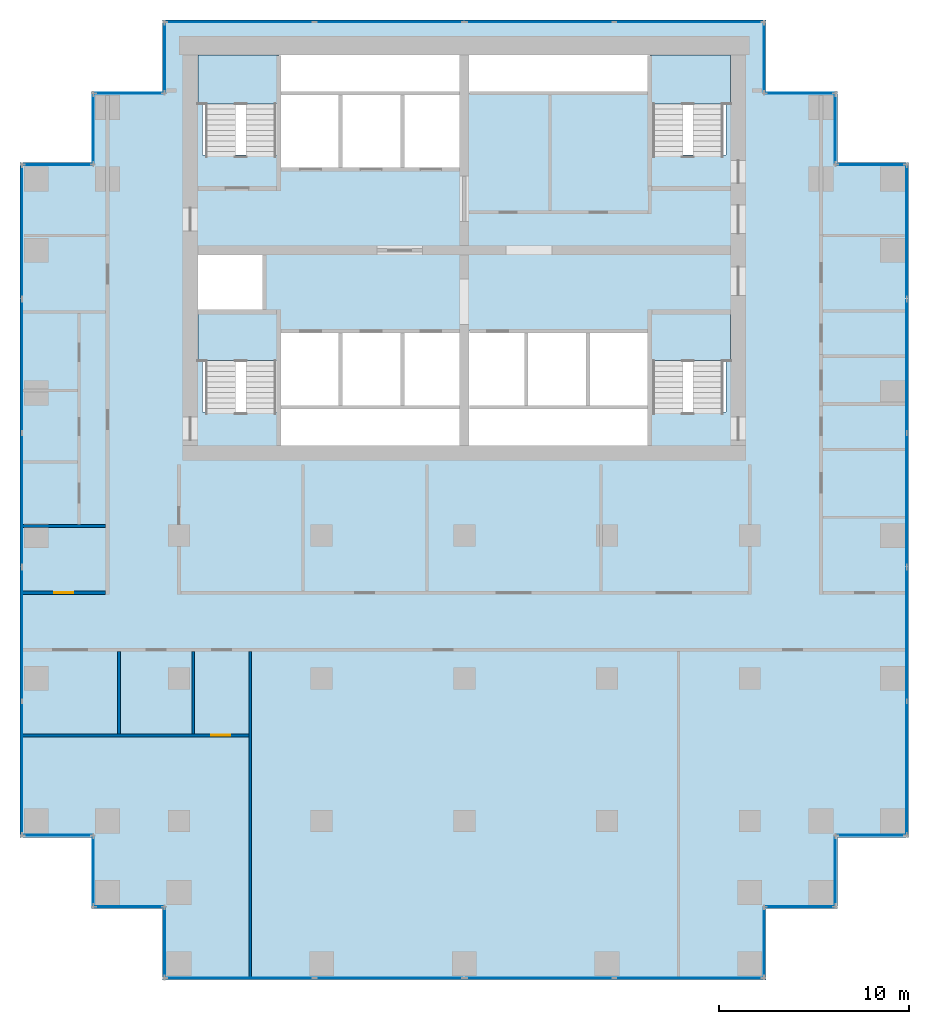
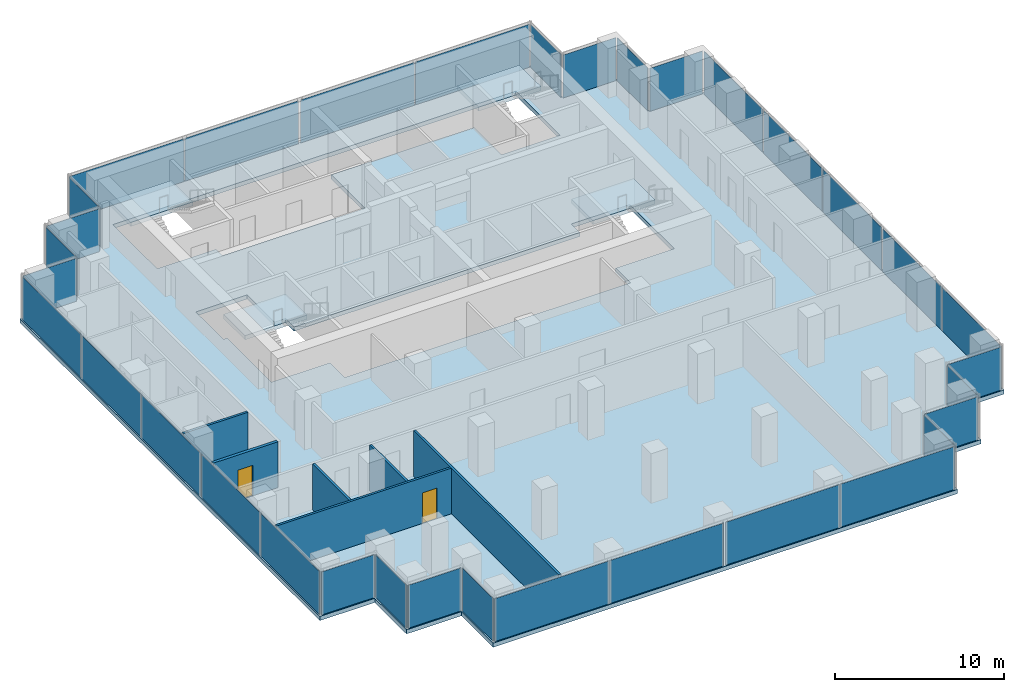
# One storey, part 6 of 10: 34 plates, 6 walls, 5 slabs, 2 doors, 2 openings, 30 elements without a shape of their own.
"""IFC4 building model written with IfcOpenShell, lengths in metres."""

from ifc_helpers import new_model, si_unit, direction, frame, frame_2d, origin, origin_2d, place, context, subcontext, project, spatial, polyline, rectangle, outline, extrude, material, layer, layer_set, type_object, element, fill, aggregate, save


model = new_model("IFC4")

# Units and contexts
model_context = context("Model", 3, precision=1e-05, world=origin(), true_north=direction((0.0, 1.0)))
body_context = subcontext(model_context, "Body", "Model", "MODEL_VIEW")
ifc_project = project(units=[si_unit("LENGTHUNIT", "METRE"), si_unit("AREAUNIT", "SQUARE_METRE"), si_unit("VOLUMEUNIT", "CUBIC_METRE"), si_unit("PLANEANGLEUNIT", "RADIAN"), si_unit("MASSUNIT", "GRAM", prefix="KILO")], contexts=[model_context])

# Site, building, storey
site_placement = place(None, origin())
site = spatial("IfcSite", under=ifc_project, at=site_placement, CompositionType="ELEMENT")
building_placement = place(site_placement, origin())
building = spatial("IfcBuilding", under=site, at=building_placement, Name="Pilkhan Gate Tower", CompositionType="ELEMENT")
storey_placement = place(building_placement, frame((0.0, 0.0, 136.0)))
storey = spatial("IfcBuildingStorey", under=building, at=storey_placement, Name="L34", CompositionType="ELEMENT", Elevation=136.0)

# Slab
ifc_material_1 = material(Name="Concrete C40/50", Category="concrete")
ifc_layer_1 = layer(ifc_material_1, 0.300048828125)
ifc_layer_set_1 = layer_set([ifc_layer_1], Name="Flat plate slab FP300")
slab_type_1 = type_object("IfcSlabType", Name="Flat plate slab FP300", PredefinedType="FLOOR", material=ifc_layer_set_1)
slab_1_placement = place(storey_placement, frame((0.0, 0.0, -0.300048828125)))
element("IfcSlab", 1, at=slab_1_placement, inside=storey, type_object=slab_type_1, Name="Floor slab L34", PredefinedType="FLOOR", context=body_context, shape_type="SweptSolid", body=[
    extrude(outline(polyline([(94.60009765625, 47.89990234375), (90.85009765625, 47.89990234375), (90.85009765625, 44.14990234375), (59.14990234375, 44.14990234375), (59.14990234375, 47.89990234375), (55.39990234375, 47.89990234375), (55.39990234375, 51.64990234375), (51.64990234375, 51.64990234375), (51.64990234375, 87.10009765625), (55.39990234375, 87.10009765625), (55.39990234375, 90.85009765625), (59.14990234375, 90.85009765625), (59.14990234375, 94.60009765625), (90.85009765625, 94.60009765625), (90.85009765625, 90.85009765625), (94.60009765625, 90.85009765625), (94.60009765625, 87.10009765625), (98.35009765625, 87.10009765625), (98.35009765625, 51.64990234375), (94.60009765625, 51.64990234375), (94.60009765625, 47.89990234375)]), holes=[polyline([(65.25, 87.5), (65.25, 86.75), (68.5, 86.75), (71.75, 86.75), (75.0, 86.75), (75.0, 90.75), (84.75, 90.75), (84.75, 87.5), (88.75, 87.5), (88.75, 92.75), (84.75, 92.75), (75.0, 92.75), (65.25, 92.75), (61.25, 92.75), (61.25, 87.5), (65.25, 87.5)]), polyline([(75.0, 72.25), (84.75, 72.25), (84.75, 74.0), (88.75, 74.0), (88.75, 79.25), (84.75, 79.25), (84.75, 78.25), (81.5, 78.25), (78.25, 78.25), (75.0, 78.25), (71.75, 78.25), (68.5, 78.25), (65.25, 78.25), (65.25, 79.25), (64.5, 79.25), (64.5, 82.5), (61.25, 82.5), (61.0, 82.5), (61.0, 79.25), (61.25, 79.25), (61.25, 74.0), (65.25, 74.0), (65.25, 72.25), (75.0, 72.25)])]), origin(), (0.0, 0.0, 1.0), 0.300048828125),
])

# Curtain wall, plates
ifc_material_2 = material(Name="Pale anodised aluminium, clear low-iron double glazing", Category="aluminium")
curtain_wall_type = type_object("IfcCurtainWallType", Name="Office unitised curtain wall CW-O1", PredefinedType="USERDEFINED", material=ifc_material_2)
curtain_wall_1_placement = place(storey_placement, origin())
curtain_wall_1 = element("IfcCurtainWall", 2, at=curtain_wall_1_placement, inside=storey, type_object=curtain_wall_type, Name="Office unitised curtain wall CW-O1 L34 E", ObjectType="UNITISED CURTAIN WALL", PredefinedType="USERDEFINED")
ifc_material_3 = material(Name="Clear low-iron double glazing", Category="glass")
ifc_layer_2 = layer(ifc_material_3, 0.0400390625)
ifc_layer_set_2 = layer_set([ifc_layer_2], Name="Glass panel CW-O1 40")
plate_type = type_object("IfcPlateType", Name="Glass panel CW-O1 40", PredefinedType="CURTAIN_PANEL", material=ifc_layer_set_2)
plate_1_placement = place(storey_placement, frame((98.25, 55.29248046875, 0.0), z_axis=(0.0, 0.0, 1.0), x_axis=(0.0, 1.0, 0.0)))
plate_1 = element("IfcPlate", 3, at=plate_1_placement, type_object=plate_type, Name="CW-O1 panel 1", PredefinedType="CURTAIN_PANEL", context=body_context, shape_type="SweptSolid", body=[
    extrude(rectangle(XDim=6.945068359375, YDim=0.0400390625, at=origin_2d()), origin(), (0.0, 0.0, 1.0), 3.10009765625),
])
plate_2_placement = place(storey_placement, frame((98.25, 62.3076171875, 0.0), z_axis=(0.0, 0.0, 1.0), x_axis=(0.0, 1.0, 0.0)))
plate_2 = element("IfcPlate", 4, at=plate_2_placement, type_object=plate_type, Name="CW-O1 panel 2", PredefinedType="CURTAIN_PANEL", context=body_context, shape_type="SweptSolid", body=[
    extrude(rectangle(XDim=6.945068359375, YDim=0.0400390625, at=origin_2d()), origin(), (0.0, 0.0, 1.0), 3.10009765625),
])
aggregate(curtain_wall_1, [plate_1, plate_2])

curtain_wall_2_placement = place(storey_placement, origin())
curtain_wall_2 = element("IfcCurtainWall", 5, at=curtain_wall_2_placement, inside=storey, type_object=curtain_wall_type, Name="Office unitised curtain wall CW-O1 L34 E", ObjectType="UNITISED CURTAIN WALL", PredefinedType="USERDEFINED")
plate_3_placement = place(storey_placement, frame((98.25, 69.392578125, 0.0), z_axis=(0.0, 0.0, 1.0), x_axis=(0.0, 1.0, 0.0)))
plate_3 = element("IfcPlate", 6, at=plate_3_placement, type_object=plate_type, Name="CW-O1 panel 1", PredefinedType="CURTAIN_PANEL", context=body_context, shape_type="SweptSolid", body=[
    extrude(rectangle(XDim=6.945068359375, YDim=0.0400390625, at=origin_2d()), origin(), (0.0, 0.0, 1.0), 3.10009765625),
])
plate_4_placement = place(storey_placement, frame((98.25, 76.407470703125, 0.0), z_axis=(0.0, 0.0, 1.0), x_axis=(0.0, 1.0, 0.0)))
plate_4 = element("IfcPlate", 7, at=plate_4_placement, type_object=plate_type, Name="CW-O1 panel 2", PredefinedType="CURTAIN_PANEL", context=body_context, shape_type="SweptSolid", body=[
    extrude(rectangle(XDim=6.945068359375, YDim=0.0400390625, at=origin_2d()), origin(), (0.0, 0.0, 1.0), 3.10009765625),
])
aggregate(curtain_wall_2, [plate_3, plate_4])

# Curtain wall, plate
curtain_wall_3_placement = place(storey_placement, origin())
curtain_wall_3 = element("IfcCurtainWall", 8, at=curtain_wall_3_placement, inside=storey, type_object=curtain_wall_type, Name="Office unitised curtain wall CW-O1 L34 E", ObjectType="UNITISED CURTAIN WALL", PredefinedType="USERDEFINED")
plate_5_placement = place(storey_placement, frame((98.25, 83.47509765625, 0.0), z_axis=(0.0, 0.0, 1.0), x_axis=(0.0, 1.0, 0.0)))
plate_5 = element("IfcPlate", 9, at=plate_5_placement, type_object=plate_type, Name="CW-O1 panel 1", PredefinedType="CURTAIN_PANEL", context=body_context, shape_type="SweptSolid", body=[
    extrude(rectangle(XDim=6.909912109375, YDim=0.0400390625, at=origin_2d()), origin(), (0.0, 0.0, 1.0), 3.10009765625),
])
aggregate(curtain_wall_3, [plate_5])

curtain_wall_4_placement = place(storey_placement, origin())
curtain_wall_4 = element("IfcCurtainWall", 10, at=curtain_wall_4_placement, inside=storey, type_object=curtain_wall_type, Name="Office unitised curtain wall CW-O1 L34 N", ObjectType="UNITISED CURTAIN WALL", PredefinedType="USERDEFINED")
plate_6_placement = place(storey_placement, frame((96.375, 87.0, 0.0), z_axis=(0.0, 0.0, 1.0), x_axis=(1.0, 0.0, 0.0)))
plate_6 = element("IfcPlate", 11, at=plate_6_placement, type_object=plate_type, Name="CW-O1 panel 1", PredefinedType="CURTAIN_PANEL", context=body_context, shape_type="SweptSolid", body=[
    extrude(rectangle(XDim=3.610107421875, YDim=0.0400390625, at=origin_2d()), origin(), (0.0, 0.0, 1.0), 3.10009765625),
])
aggregate(curtain_wall_4, [plate_6])

curtain_wall_5_placement = place(storey_placement, origin())
curtain_wall_5 = element("IfcCurtainWall", 12, at=curtain_wall_5_placement, inside=storey, type_object=curtain_wall_type, Name="Office unitised curtain wall CW-O1 L34 E", ObjectType="UNITISED CURTAIN WALL", PredefinedType="USERDEFINED")
plate_7_placement = place(storey_placement, frame((94.5, 88.875, 0.0), z_axis=(0.0, 0.0, 1.0), x_axis=(0.0, 1.0, 0.0)))
plate_7 = element("IfcPlate", 13, at=plate_7_placement, type_object=plate_type, Name="CW-O1 panel 1", PredefinedType="CURTAIN_PANEL", context=body_context, shape_type="SweptSolid", body=[
    extrude(rectangle(XDim=3.610107421875, YDim=0.0400390625, at=origin_2d()), origin(), (0.0, 0.0, 1.0), 3.10009765625),
])
aggregate(curtain_wall_5, [plate_7])

curtain_wall_6_placement = place(storey_placement, origin())
curtain_wall_6 = element("IfcCurtainWall", 14, at=curtain_wall_6_placement, inside=storey, type_object=curtain_wall_type, Name="Office unitised curtain wall CW-O1 L34 N", ObjectType="UNITISED CURTAIN WALL", PredefinedType="USERDEFINED")
plate_8_placement = place(storey_placement, frame((92.625, 90.75, 0.0), z_axis=(0.0, 0.0, 1.0), x_axis=(1.0, 0.0, 0.0)))
plate_8 = element("IfcPlate", 15, at=plate_8_placement, type_object=plate_type, Name="CW-O1 panel 1", PredefinedType="CURTAIN_PANEL", context=body_context, shape_type="SweptSolid", body=[
    extrude(rectangle(XDim=3.610107421875, YDim=0.0400390625, at=origin_2d()), origin(), (0.0, 0.0, 1.0), 3.10009765625),
])
aggregate(curtain_wall_6, [plate_8])

curtain_wall_7_placement = place(storey_placement, origin())
curtain_wall_7 = element("IfcCurtainWall", 16, at=curtain_wall_7_placement, inside=storey, type_object=curtain_wall_type, Name="Office unitised curtain wall CW-O1 L34 E", ObjectType="UNITISED CURTAIN WALL", PredefinedType="USERDEFINED")
plate_9_placement = place(storey_placement, frame((90.75, 92.625, 0.0), z_axis=(0.0, 0.0, 1.0), x_axis=(0.0, 1.0, 0.0)))
plate_9 = element("IfcPlate", 17, at=plate_9_placement, type_object=plate_type, Name="CW-O1 panel 1", PredefinedType="CURTAIN_PANEL", context=body_context, shape_type="SweptSolid", body=[
    extrude(rectangle(XDim=3.610107421875, YDim=0.0400390625, at=origin_2d()), origin(), (0.0, 0.0, 1.0), 3.10009765625),
])
aggregate(curtain_wall_7, [plate_9])

# Curtain wall, plates
curtain_wall_8_placement = place(storey_placement, origin())
curtain_wall_8 = element("IfcCurtainWall", 18, at=curtain_wall_8_placement, inside=storey, type_object=curtain_wall_type, Name="Office unitised curtain wall CW-O1 L34 N", ObjectType="UNITISED CURTAIN WALL", PredefinedType="USERDEFINED")
plate_10_placement = place(storey_placement, frame((63.205078125, 94.5, 0.0), z_axis=(0.0, 0.0, 1.0), x_axis=(1.0, 0.0, 0.0)))
plate_10 = element("IfcPlate", 19, at=plate_10_placement, type_object=plate_type, Name="CW-O1 panel 1", PredefinedType="CURTAIN_PANEL", context=body_context, shape_type="SweptSolid", body=[
    extrude(rectangle(XDim=7.77001953125, YDim=0.0400390625, at=origin_2d()), origin(), (0.0, 0.0, 1.0), 3.10009765625),
])
plate_11_placement = place(storey_placement, frame((71.044921875, 94.5, 0.0), z_axis=(0.0, 0.0, 1.0), x_axis=(1.0, 0.0, 0.0)))
plate_11 = element("IfcPlate", 20, at=plate_11_placement, type_object=plate_type, Name="CW-O1 panel 2", PredefinedType="CURTAIN_PANEL", context=body_context, shape_type="SweptSolid", body=[
    extrude(rectangle(XDim=7.77001953125, YDim=0.0400390625, at=origin_2d()), origin(), (0.0, 0.0, 1.0), 3.10009765625),
])
aggregate(curtain_wall_8, [plate_10, plate_11])

curtain_wall_9_placement = place(storey_placement, origin())
curtain_wall_9 = element("IfcCurtainWall", 21, at=curtain_wall_9_placement, inside=storey, type_object=curtain_wall_type, Name="Office unitised curtain wall CW-O1 L34 N", ObjectType="UNITISED CURTAIN WALL", PredefinedType="USERDEFINED")
plate_12_placement = place(storey_placement, frame((78.955078125, 94.5, 0.0), z_axis=(0.0, 0.0, 1.0), x_axis=(1.0, 0.0, 0.0)))
plate_12 = element("IfcPlate", 22, at=plate_12_placement, type_object=plate_type, Name="CW-O1 panel 1", PredefinedType="CURTAIN_PANEL", context=body_context, shape_type="SweptSolid", body=[
    extrude(rectangle(XDim=7.77001953125, YDim=0.0400390625, at=origin_2d()), origin(), (0.0, 0.0, 1.0), 3.10009765625),
])
plate_13_placement = place(storey_placement, frame((86.794921875, 94.5, 0.0), z_axis=(0.0, 0.0, 1.0), x_axis=(1.0, 0.0, 0.0)))
plate_13 = element("IfcPlate", 23, at=plate_13_placement, type_object=plate_type, Name="CW-O1 panel 2", PredefinedType="CURTAIN_PANEL", context=body_context, shape_type="SweptSolid", body=[
    extrude(rectangle(XDim=7.77001953125, YDim=0.0400390625, at=origin_2d()), origin(), (0.0, 0.0, 1.0), 3.10009765625),
])
aggregate(curtain_wall_9, [plate_12, plate_13])

# Curtain wall, plate
curtain_wall_10_placement = place(storey_placement, origin())
curtain_wall_10 = element("IfcCurtainWall", 24, at=curtain_wall_10_placement, inside=storey, type_object=curtain_wall_type, Name="Office unitised curtain wall CW-O1 L34 W", ObjectType="UNITISED CURTAIN WALL", PredefinedType="USERDEFINED")
plate_14_placement = place(storey_placement, frame((59.25, 92.625, 0.0), z_axis=(0.0, 0.0, 1.0), x_axis=(0.0, 1.0, 0.0)))
plate_14 = element("IfcPlate", 25, at=plate_14_placement, type_object=plate_type, Name="CW-O1 panel 1", PredefinedType="CURTAIN_PANEL", context=body_context, shape_type="SweptSolid", body=[
    extrude(rectangle(XDim=3.610107421875, YDim=0.0400390625, at=origin_2d()), origin(), (0.0, 0.0, 1.0), 3.10009765625),
])
aggregate(curtain_wall_10, [plate_14])

curtain_wall_11_placement = place(storey_placement, origin())
curtain_wall_11 = element("IfcCurtainWall", 26, at=curtain_wall_11_placement, inside=storey, type_object=curtain_wall_type, Name="Office unitised curtain wall CW-O1 L34 N", ObjectType="UNITISED CURTAIN WALL", PredefinedType="USERDEFINED")
plate_15_placement = place(storey_placement, frame((57.375, 90.75, 0.0), z_axis=(0.0, 0.0, 1.0), x_axis=(1.0, 0.0, 0.0)))
plate_15 = element("IfcPlate", 27, at=plate_15_placement, type_object=plate_type, Name="CW-O1 panel 1", PredefinedType="CURTAIN_PANEL", context=body_context, shape_type="SweptSolid", body=[
    extrude(rectangle(XDim=3.610107421875, YDim=0.0400390625, at=origin_2d()), origin(), (0.0, 0.0, 1.0), 3.10009765625),
])
aggregate(curtain_wall_11, [plate_15])

curtain_wall_12_placement = place(storey_placement, origin())
curtain_wall_12 = element("IfcCurtainWall", 28, at=curtain_wall_12_placement, inside=storey, type_object=curtain_wall_type, Name="Office unitised curtain wall CW-O1 L34 W", ObjectType="UNITISED CURTAIN WALL", PredefinedType="USERDEFINED")
plate_16_placement = place(storey_placement, frame((55.5, 88.875, 0.0), z_axis=(0.0, 0.0, 1.0), x_axis=(0.0, 1.0, 0.0)))
plate_16 = element("IfcPlate", 29, at=plate_16_placement, type_object=plate_type, Name="CW-O1 panel 1", PredefinedType="CURTAIN_PANEL", context=body_context, shape_type="SweptSolid", body=[
    extrude(rectangle(XDim=3.610107421875, YDim=0.0400390625, at=origin_2d()), origin(), (0.0, 0.0, 1.0), 3.10009765625),
])
aggregate(curtain_wall_12, [plate_16])

curtain_wall_13_placement = place(storey_placement, origin())
curtain_wall_13 = element("IfcCurtainWall", 30, at=curtain_wall_13_placement, inside=storey, type_object=curtain_wall_type, Name="Office unitised curtain wall CW-O1 L34 N", ObjectType="UNITISED CURTAIN WALL", PredefinedType="USERDEFINED")
plate_17_placement = place(storey_placement, frame((53.625, 87.0, 0.0), z_axis=(0.0, 0.0, 1.0), x_axis=(1.0, 0.0, 0.0)))
plate_17 = element("IfcPlate", 31, at=plate_17_placement, type_object=plate_type, Name="CW-O1 panel 1", PredefinedType="CURTAIN_PANEL", context=body_context, shape_type="SweptSolid", body=[
    extrude(rectangle(XDim=3.610107421875, YDim=0.0400390625, at=origin_2d()), origin(), (0.0, 0.0, 1.0), 3.10009765625),
])
aggregate(curtain_wall_13, [plate_17])

# Curtain wall, plates
curtain_wall_14_placement = place(storey_placement, origin())
curtain_wall_14 = element("IfcCurtainWall", 32, at=curtain_wall_14_placement, inside=storey, type_object=curtain_wall_type, Name="Office unitised curtain wall CW-O1 L34 W", ObjectType="UNITISED CURTAIN WALL", PredefinedType="USERDEFINED")
plate_18_placement = place(storey_placement, frame((51.75, 55.29248046875, 0.0), z_axis=(0.0, 0.0, 1.0), x_axis=(0.0, 1.0, 0.0)))
plate_18 = element("IfcPlate", 33, at=plate_18_placement, type_object=plate_type, Name="CW-O1 panel 1", PredefinedType="CURTAIN_PANEL", context=body_context, shape_type="SweptSolid", body=[
    extrude(rectangle(XDim=6.945068359375, YDim=0.0400390625, at=origin_2d()), origin(), (0.0, 0.0, 1.0), 3.10009765625),
])
plate_19_placement = place(storey_placement, frame((51.75, 62.3076171875, 0.0), z_axis=(0.0, 0.0, 1.0), x_axis=(0.0, 1.0, 0.0)))
plate_19 = element("IfcPlate", 34, at=plate_19_placement, type_object=plate_type, Name="CW-O1 panel 2", PredefinedType="CURTAIN_PANEL", context=body_context, shape_type="SweptSolid", body=[
    extrude(rectangle(XDim=6.945068359375, YDim=0.0400390625, at=origin_2d()), origin(), (0.0, 0.0, 1.0), 3.10009765625),
])
aggregate(curtain_wall_14, [plate_18, plate_19])

curtain_wall_15_placement = place(storey_placement, origin())
curtain_wall_15 = element("IfcCurtainWall", 35, at=curtain_wall_15_placement, inside=storey, type_object=curtain_wall_type, Name="Office unitised curtain wall CW-O1 L34 W", ObjectType="UNITISED CURTAIN WALL", PredefinedType="USERDEFINED")
plate_20_placement = place(storey_placement, frame((51.75, 69.392578125, 0.0), z_axis=(0.0, 0.0, 1.0), x_axis=(0.0, 1.0, 0.0)))
plate_20 = element("IfcPlate", 36, at=plate_20_placement, type_object=plate_type, Name="CW-O1 panel 1", PredefinedType="CURTAIN_PANEL", context=body_context, shape_type="SweptSolid", body=[
    extrude(rectangle(XDim=6.945068359375, YDim=0.0400390625, at=origin_2d()), origin(), (0.0, 0.0, 1.0), 3.10009765625),
])
plate_21_placement = place(storey_placement, frame((51.75, 76.407470703125, 0.0), z_axis=(0.0, 0.0, 1.0), x_axis=(0.0, 1.0, 0.0)))
plate_21 = element("IfcPlate", 37, at=plate_21_placement, type_object=plate_type, Name="CW-O1 panel 2", PredefinedType="CURTAIN_PANEL", context=body_context, shape_type="SweptSolid", body=[
    extrude(rectangle(XDim=6.945068359375, YDim=0.0400390625, at=origin_2d()), origin(), (0.0, 0.0, 1.0), 3.10009765625),
])
aggregate(curtain_wall_15, [plate_20, plate_21])

# Curtain wall, plate
curtain_wall_16_placement = place(storey_placement, origin())
curtain_wall_16 = element("IfcCurtainWall", 38, at=curtain_wall_16_placement, inside=storey, type_object=curtain_wall_type, Name="Office unitised curtain wall CW-O1 L34 W", ObjectType="UNITISED CURTAIN WALL", PredefinedType="USERDEFINED")
plate_22_placement = place(storey_placement, frame((51.75, 83.47509765625, 0.0), z_axis=(0.0, 0.0, 1.0), x_axis=(0.0, 1.0, 0.0)))
plate_22 = element("IfcPlate", 39, at=plate_22_placement, type_object=plate_type, Name="CW-O1 panel 1", PredefinedType="CURTAIN_PANEL", context=body_context, shape_type="SweptSolid", body=[
    extrude(rectangle(XDim=6.909912109375, YDim=0.0400390625, at=origin_2d()), origin(), (0.0, 0.0, 1.0), 3.10009765625),
])
aggregate(curtain_wall_16, [plate_22])

curtain_wall_17_placement = place(storey_placement, origin())
curtain_wall_17 = element("IfcCurtainWall", 40, at=curtain_wall_17_placement, inside=storey, type_object=curtain_wall_type, Name="Office unitised curtain wall CW-O1 L34 S", ObjectType="UNITISED CURTAIN WALL", PredefinedType="USERDEFINED")
plate_23_placement = place(storey_placement, frame((53.625, 51.75, 0.0), z_axis=(0.0, 0.0, 1.0), x_axis=(1.0, 0.0, 0.0)))
plate_23 = element("IfcPlate", 41, at=plate_23_placement, type_object=plate_type, Name="CW-O1 panel 1", PredefinedType="CURTAIN_PANEL", context=body_context, shape_type="SweptSolid", body=[
    extrude(rectangle(XDim=3.610107421875, YDim=0.0400390625, at=origin_2d()), origin(), (0.0, 0.0, 1.0), 3.10009765625),
])
aggregate(curtain_wall_17, [plate_23])

curtain_wall_18_placement = place(storey_placement, origin())
curtain_wall_18 = element("IfcCurtainWall", 42, at=curtain_wall_18_placement, inside=storey, type_object=curtain_wall_type, Name="Office unitised curtain wall CW-O1 L34 W", ObjectType="UNITISED CURTAIN WALL", PredefinedType="USERDEFINED")
plate_24_placement = place(storey_placement, frame((55.5, 49.875, 0.0), z_axis=(0.0, 0.0, 1.0), x_axis=(0.0, 1.0, 0.0)))
plate_24 = element("IfcPlate", 43, at=plate_24_placement, type_object=plate_type, Name="CW-O1 panel 1", PredefinedType="CURTAIN_PANEL", context=body_context, shape_type="SweptSolid", body=[
    extrude(rectangle(XDim=3.610107421875, YDim=0.0400390625, at=origin_2d()), origin(), (0.0, 0.0, 1.0), 3.10009765625),
])
aggregate(curtain_wall_18, [plate_24])

curtain_wall_19_placement = place(storey_placement, origin())
curtain_wall_19 = element("IfcCurtainWall", 44, at=curtain_wall_19_placement, inside=storey, type_object=curtain_wall_type, Name="Office unitised curtain wall CW-O1 L34 S", ObjectType="UNITISED CURTAIN WALL", PredefinedType="USERDEFINED")
plate_25_placement = place(storey_placement, frame((57.375, 48.0, 0.0), z_axis=(0.0, 0.0, 1.0), x_axis=(1.0, 0.0, 0.0)))
plate_25 = element("IfcPlate", 45, at=plate_25_placement, type_object=plate_type, Name="CW-O1 panel 1", PredefinedType="CURTAIN_PANEL", context=body_context, shape_type="SweptSolid", body=[
    extrude(rectangle(XDim=3.610107421875, YDim=0.0400390625, at=origin_2d()), origin(), (0.0, 0.0, 1.0), 3.10009765625),
])
aggregate(curtain_wall_19, [plate_25])

curtain_wall_20_placement = place(storey_placement, origin())
curtain_wall_20 = element("IfcCurtainWall", 46, at=curtain_wall_20_placement, inside=storey, type_object=curtain_wall_type, Name="Office unitised curtain wall CW-O1 L34 W", ObjectType="UNITISED CURTAIN WALL", PredefinedType="USERDEFINED")
plate_26_placement = place(storey_placement, frame((59.25, 46.125, 0.0), z_axis=(0.0, 0.0, 1.0), x_axis=(0.0, 1.0, 0.0)))
plate_26 = element("IfcPlate", 47, at=plate_26_placement, type_object=plate_type, Name="CW-O1 panel 1", PredefinedType="CURTAIN_PANEL", context=body_context, shape_type="SweptSolid", body=[
    extrude(rectangle(XDim=3.610107421875, YDim=0.0400390625, at=origin_2d()), origin(), (0.0, 0.0, 1.0), 3.10009765625),
])
aggregate(curtain_wall_20, [plate_26])

# Curtain wall, plates
curtain_wall_21_placement = place(storey_placement, origin())
curtain_wall_21 = element("IfcCurtainWall", 48, at=curtain_wall_21_placement, inside=storey, type_object=curtain_wall_type, Name="Office unitised curtain wall CW-O1 L34 S", ObjectType="UNITISED CURTAIN WALL", PredefinedType="USERDEFINED")
plate_27_placement = place(storey_placement, frame((63.205078125, 44.25, 0.0), z_axis=(0.0, 0.0, 1.0), x_axis=(1.0, 0.0, 0.0)))
plate_27 = element("IfcPlate", 49, at=plate_27_placement, type_object=plate_type, Name="CW-O1 panel 1", PredefinedType="CURTAIN_PANEL", context=body_context, shape_type="SweptSolid", body=[
    extrude(rectangle(XDim=7.77001953125, YDim=0.0400390625, at=origin_2d()), origin(), (0.0, 0.0, 1.0), 3.10009765625),
])
plate_28_placement = place(storey_placement, frame((71.044921875, 44.25, 0.0), z_axis=(0.0, 0.0, 1.0), x_axis=(1.0, 0.0, 0.0)))
plate_28 = element("IfcPlate", 50, at=plate_28_placement, type_object=plate_type, Name="CW-O1 panel 2", PredefinedType="CURTAIN_PANEL", context=body_context, shape_type="SweptSolid", body=[
    extrude(rectangle(XDim=7.77001953125, YDim=0.0400390625, at=origin_2d()), origin(), (0.0, 0.0, 1.0), 3.10009765625),
])
aggregate(curtain_wall_21, [plate_27, plate_28])

curtain_wall_22_placement = place(storey_placement, origin())
curtain_wall_22 = element("IfcCurtainWall", 51, at=curtain_wall_22_placement, inside=storey, type_object=curtain_wall_type, Name="Office unitised curtain wall CW-O1 L34 S", ObjectType="UNITISED CURTAIN WALL", PredefinedType="USERDEFINED")
plate_29_placement = place(storey_placement, frame((78.955078125, 44.25, 0.0), z_axis=(0.0, 0.0, 1.0), x_axis=(1.0, 0.0, 0.0)))
plate_29 = element("IfcPlate", 52, at=plate_29_placement, type_object=plate_type, Name="CW-O1 panel 1", PredefinedType="CURTAIN_PANEL", context=body_context, shape_type="SweptSolid", body=[
    extrude(rectangle(XDim=7.77001953125, YDim=0.0400390625, at=origin_2d()), origin(), (0.0, 0.0, 1.0), 3.10009765625),
])
plate_30_placement = place(storey_placement, frame((86.794921875, 44.25, 0.0), z_axis=(0.0, 0.0, 1.0), x_axis=(1.0, 0.0, 0.0)))
plate_30 = element("IfcPlate", 53, at=plate_30_placement, type_object=plate_type, Name="CW-O1 panel 2", PredefinedType="CURTAIN_PANEL", context=body_context, shape_type="SweptSolid", body=[
    extrude(rectangle(XDim=7.77001953125, YDim=0.0400390625, at=origin_2d()), origin(), (0.0, 0.0, 1.0), 3.10009765625),
])
aggregate(curtain_wall_22, [plate_29, plate_30])

# Curtain wall, plate
curtain_wall_23_placement = place(storey_placement, origin())
curtain_wall_23 = element("IfcCurtainWall", 54, at=curtain_wall_23_placement, inside=storey, type_object=curtain_wall_type, Name="Office unitised curtain wall CW-O1 L34 E", ObjectType="UNITISED CURTAIN WALL", PredefinedType="USERDEFINED")
plate_31_placement = place(storey_placement, frame((90.75, 46.125, 0.0), z_axis=(0.0, 0.0, 1.0), x_axis=(0.0, 1.0, 0.0)))
plate_31 = element("IfcPlate", 55, at=plate_31_placement, type_object=plate_type, Name="CW-O1 panel 1", PredefinedType="CURTAIN_PANEL", context=body_context, shape_type="SweptSolid", body=[
    extrude(rectangle(XDim=3.610107421875, YDim=0.0400390625, at=origin_2d()), origin(), (0.0, 0.0, 1.0), 3.10009765625),
])
aggregate(curtain_wall_23, [plate_31])

curtain_wall_24_placement = place(storey_placement, origin())
curtain_wall_24 = element("IfcCurtainWall", 56, at=curtain_wall_24_placement, inside=storey, type_object=curtain_wall_type, Name="Office unitised curtain wall CW-O1 L34 S", ObjectType="UNITISED CURTAIN WALL", PredefinedType="USERDEFINED")
plate_32_placement = place(storey_placement, frame((92.625, 48.0, 0.0), z_axis=(0.0, 0.0, 1.0), x_axis=(1.0, 0.0, 0.0)))
plate_32 = element("IfcPlate", 57, at=plate_32_placement, type_object=plate_type, Name="CW-O1 panel 1", PredefinedType="CURTAIN_PANEL", context=body_context, shape_type="SweptSolid", body=[
    extrude(rectangle(XDim=3.610107421875, YDim=0.0400390625, at=origin_2d()), origin(), (0.0, 0.0, 1.0), 3.10009765625),
])
aggregate(curtain_wall_24, [plate_32])

curtain_wall_25_placement = place(storey_placement, origin())
curtain_wall_25 = element("IfcCurtainWall", 58, at=curtain_wall_25_placement, inside=storey, type_object=curtain_wall_type, Name="Office unitised curtain wall CW-O1 L34 E", ObjectType="UNITISED CURTAIN WALL", PredefinedType="USERDEFINED")
plate_33_placement = place(storey_placement, frame((94.5, 49.875, 0.0), z_axis=(0.0, 0.0, 1.0), x_axis=(0.0, 1.0, 0.0)))
plate_33 = element("IfcPlate", 59, at=plate_33_placement, type_object=plate_type, Name="CW-O1 panel 1", PredefinedType="CURTAIN_PANEL", context=body_context, shape_type="SweptSolid", body=[
    extrude(rectangle(XDim=3.610107421875, YDim=0.0400390625, at=origin_2d()), origin(), (0.0, 0.0, 1.0), 3.10009765625),
])
aggregate(curtain_wall_25, [plate_33])

curtain_wall_26_placement = place(storey_placement, origin())
curtain_wall_26 = element("IfcCurtainWall", 60, at=curtain_wall_26_placement, inside=storey, type_object=curtain_wall_type, Name="Office unitised curtain wall CW-O1 L34 S", ObjectType="UNITISED CURTAIN WALL", PredefinedType="USERDEFINED")
plate_34_placement = place(storey_placement, frame((96.375, 51.75, 0.0), z_axis=(0.0, 0.0, 1.0), x_axis=(1.0, 0.0, 0.0)))
plate_34 = element("IfcPlate", 61, at=plate_34_placement, type_object=plate_type, Name="CW-O1 panel 1", PredefinedType="CURTAIN_PANEL", context=body_context, shape_type="SweptSolid", body=[
    extrude(rectangle(XDim=3.610107421875, YDim=0.0400390625, at=origin_2d()), origin(), (0.0, 0.0, 1.0), 3.10009765625),
])
aggregate(curtain_wall_26, [plate_34])

# Stair, slab
ifc_material_4 = material(Name="Concrete C40/50 precast", Category="concrete")
stair_type_1 = type_object("IfcStairType", Name="Stair ST1 164x280", PredefinedType="HALF_TURN_STAIR", material=ifc_material_4)
stair_1_placement = place(storey_placement, origin())
stair_1 = element("IfcStair", 62, at=stair_1_placement, inside=storey, type_object=stair_type_1, Name="Stair ST1 L34", PredefinedType="HALF_TURN_STAIR")
ifc_layer_3 = layer(ifc_material_1, 0.199951171875)
ifc_layer_set_3 = layer_set([ifc_layer_3], Name="Stair landing SL200")
slab_type_2 = type_object("IfcSlabType", Name="Stair landing SL200", PredefinedType="LANDING", material=ifc_layer_set_3)
slab_2_placement = place(storey_placement, frame((0.0, 0.0, 1.5)))
slab_2 = element("IfcSlab", 63, at=slab_2_placement, type_object=slab_type_2, Name="ST1 landing 1", PredefinedType="LANDING", context=body_context, shape_type="SweptSolid", body=[
    extrude(outline(polyline([(89.0, 76.699951171875), (89.0, 79.25), (84.75, 79.25), (84.75, 76.699951171875), (89.0, 76.699951171875)])), origin(), (0.0, 0.0, 1.0), 0.300048828125),
])
aggregate(stair_1, [slab_2])

stair_type_2 = type_object("IfcStairType", Name="Stair ST2 164x280", PredefinedType="HALF_TURN_STAIR", material=ifc_material_4)
stair_2_placement = place(storey_placement, origin())
stair_2 = element("IfcStair", 64, at=stair_2_placement, inside=storey, type_object=stair_type_2, Name="Stair ST2 L34", PredefinedType="HALF_TURN_STAIR")
slab_3_placement = place(storey_placement, frame((0.0, 0.0, 1.5)))
slab_3 = element("IfcSlab", 65, at=slab_3_placement, type_object=slab_type_2, Name="ST2 landing 1", PredefinedType="LANDING", context=body_context, shape_type="SweptSolid", body=[
    extrude(outline(polyline([(65.25, 76.699951171875), (65.25, 79.25), (61.0, 79.25), (61.0, 76.699951171875), (65.25, 76.699951171875)])), origin(), (0.0, 0.0, 1.0), 0.300048828125),
])
aggregate(stair_2, [slab_3])

stair_type_3 = type_object("IfcStairType", Name="Stair ST3 164x280", PredefinedType="HALF_TURN_STAIR", material=ifc_material_4)
stair_3_placement = place(storey_placement, origin())
stair_3 = element("IfcStair", 66, at=stair_3_placement, inside=storey, type_object=stair_type_3, Name="Stair ST3 L34", PredefinedType="HALF_TURN_STAIR")
slab_4_placement = place(storey_placement, frame((0.0, 0.0, 1.5)))
slab_4 = element("IfcSlab", 67, at=slab_4_placement, type_object=slab_type_2, Name="ST3 landing 1", PredefinedType="LANDING", context=body_context, shape_type="SweptSolid", body=[
    extrude(outline(polyline([(65.25, 90.199951171875), (65.25, 92.75), (61.0, 92.75), (61.0, 90.199951171875), (65.25, 90.199951171875)])), origin(), (0.0, 0.0, 1.0), 0.300048828125),
])
aggregate(stair_3, [slab_4])

stair_type_4 = type_object("IfcStairType", Name="Stair ST4 164x280", PredefinedType="HALF_TURN_STAIR", material=ifc_material_4)
stair_4_placement = place(storey_placement, origin())
stair_4 = element("IfcStair", 68, at=stair_4_placement, inside=storey, type_object=stair_type_4, Name="Stair ST4 L34", PredefinedType="HALF_TURN_STAIR")
slab_5_placement = place(storey_placement, frame((0.0, 0.0, 1.5)))
slab_5 = element("IfcSlab", 69, at=slab_5_placement, type_object=slab_type_2, Name="ST4 landing 1", PredefinedType="LANDING", context=body_context, shape_type="SweptSolid", body=[
    extrude(outline(polyline([(89.0, 90.199951171875), (89.0, 92.75), (84.75, 92.75), (84.75, 90.199951171875), (89.0, 90.199951171875)])), origin(), (0.0, 0.0, 1.0), 0.300048828125),
])
aggregate(stair_4, [slab_5])

# Wall, opening, door
ifc_material_5 = material(Name="Dense blockwork", Category="masonry")
ifc_layer_4 = layer(ifc_material_5, 0.199951171875)
ifc_layer_set_4 = layer_set([ifc_layer_4], Name="Corridor wall FW200")
wall_type_1 = type_object("IfcWallType", Name="Corridor wall FW200", PredefinedType="PARTITIONING", material=ifc_layer_set_4)
wall_1_placement = place(storey_placement, frame((51.735107421875, 64.5, 0.0), z_axis=(0.0, 0.0, 1.0), x_axis=(1.0, 0.0, 0.0)))
wall_1 = element("IfcWall", 70, at=wall_1_placement, inside=storey, type_object=wall_type_1, Name="Partition L34", PredefinedType="PARTITIONING", context=body_context, shape_type="SweptSolid", body=[
    extrude(rectangle(XDim=4.414794921875, YDim=0.199951171875, at=frame_2d((2.20751953125, 0.0))), origin(), (0.0, 0.0, 1.0), 3.300048828125),
])
opening_1_placement = place(wall_1_placement, frame((1.699951171875, 0.0, 0.0)))
opening_1 = element("IfcOpeningElement", 71, at=opening_1_placement, cuts=wall_1, Name="Opening L34-24", PredefinedType="OPENING", context=body_context, shape_type="SweptSolid", body=[
    extrude(rectangle(XDim=1.0, YDim=2.199951171875, at=frame_2d((0.5, 1.10009765625))), frame((0.0, 0.10986328125, 0.0), z_axis=(0.0, -1.0, 0.0), x_axis=(1.0, 0.0, 0.0)), (0.0, 0.0, 1.0), 0.219970703125),
])
ifc_material_6 = material(Name="Timber flush door, 30 minute fire resisting", Category="wood")
door_type = type_object("IfcDoorType", Name="Room door D03 1000x2200", OperationType="SINGLE_SWING_LEFT", PredefinedType="DOOR", material=ifc_material_6)
door_1_placement = place(opening_1_placement, origin())
door_1 = element("IfcDoor", 72, at=door_1_placement, inside=storey, type_object=door_type, Name="Room door", OperationType="SINGLE_SWING_RIGHT", OverallHeight=2.199951171875, OverallWidth=1.0, PredefinedType="DOOR", context=body_context, shape_type="SweptSolid", body=[
    extrude(rectangle(XDim=1.0, YDim=2.199951171875, at=frame_2d((0.5, 1.10009765625))), frame((0.0, 0.02490234375, 0.0), z_axis=(0.0, -1.0, 0.0), x_axis=(1.0, 0.0, 0.0)), (0.0, 0.0, 1.0), 0.050048828125),
])
fill(opening_1, door_1)

ifc_material_7 = material(Name="Blockwork partition, plastered both sides", Category="masonry")
ifc_layer_5 = layer(ifc_material_7, 0.14990234375)
ifc_layer_set_5 = layer_set([ifc_layer_5], Name="Partition PW150")
wall_type_2 = type_object("IfcWallType", Name="Partition PW150", PredefinedType="PARTITIONING", material=ifc_layer_set_5)
wall_2_placement = place(storey_placement, frame((51.735107421875, 57.0, 0.0), z_axis=(0.0, 0.0, 1.0), x_axis=(1.0, 0.0, 0.0)))
wall_2 = element("IfcWall", 73, at=wall_2_placement, inside=storey, type_object=wall_type_2, Name="Partition L34", PredefinedType="PARTITIONING", context=body_context, shape_type="SweptSolid", body=[
    extrude(rectangle(XDim=11.93994140625, YDim=0.14990234375, at=frame_2d((5.969970703125, 0.0))), origin(), (0.0, 0.0, 1.0), 3.300048828125),
])
opening_2_placement = place(wall_2_placement, frame((9.965087890625, 0.0, 0.0)))
opening_2 = element("IfcOpeningElement", 74, at=opening_2_placement, cuts=wall_2, Name="Opening L34-18", PredefinedType="OPENING", context=body_context, shape_type="SweptSolid", body=[
    extrude(rectangle(XDim=1.0, YDim=2.199951171875, at=frame_2d((0.5, 1.10009765625))), frame((0.0, 0.0849609375, 0.0), z_axis=(0.0, -1.0, 0.0), x_axis=(1.0, 0.0, 0.0)), (0.0, 0.0, 1.0), 0.169921875),
])
door_2_placement = place(opening_2_placement, origin())
door_2 = element("IfcDoor", 75, at=door_2_placement, inside=storey, type_object=door_type, Name="Room door", OperationType="SINGLE_SWING_LEFT", OverallHeight=2.199951171875, OverallWidth=1.0, PredefinedType="DOOR", context=body_context, shape_type="SweptSolid", body=[
    extrude(rectangle(XDim=1.0, YDim=2.199951171875, at=frame_2d((0.5, 1.10009765625))), frame((0.0, 0.02490234375, 0.0), z_axis=(0.0, -1.0, 0.0), x_axis=(1.0, 0.0, 0.0)), (0.0, 0.0, 1.0), 0.050048828125),
])
fill(opening_2, door_2)

# Walls
wall_3_placement = place(storey_placement, frame((51.735107421875, 68.0, 0.0), z_axis=(0.0, 0.0, 1.0), x_axis=(1.0, 0.0, 0.0)))
element("IfcWall", 76, at=wall_3_placement, inside=storey, type_object=wall_type_2, Name="Partition L34", PredefinedType="PARTITIONING", context=body_context, shape_type="SweptSolid", body=[
    extrude(rectangle(XDim=4.414794921875, YDim=0.14990234375, at=frame_2d((2.20751953125, 0.0))), origin(), (0.0, 0.0, 1.0), 3.300048828125),
])
for number, where, z_axis, x_axis, name in (
    (77, (56.85595703125, 57.074951171875, 0.0), (0.0, 0.0, 1.0), (0.0, 1.0, 0.0), "Partition L34"),
    (78, (60.75, 57.074951171875, 0.0), (0.0, 0.0, 1.0), (0.0, 1.0, 0.0), "Partition L34"),
):
    element("IfcWall", number, at=place(storey_placement, frame(where, z_axis=z_axis, x_axis=x_axis)), inside=storey, type_object=wall_type_2, Name=name, PredefinedType="PARTITIONING", context=body_context, shape_type="SweptSolid", body=[
        extrude(rectangle(XDim=4.324951171875, YDim=0.14990234375, at=frame_2d((2.16259765625, 0.0))), origin(), (0.0, 0.0, 1.0), 3.300048828125),
    ])
wall_4_placement = place(storey_placement, frame((63.75, 44.235107421875, 0.0), z_axis=(0.0, 0.0, 1.0), x_axis=(0.0, 1.0, 0.0)))
element("IfcWall", 79, at=wall_4_placement, inside=storey, type_object=wall_type_2, Name="Partition L34", PredefinedType="PARTITIONING", context=body_context, shape_type="SweptSolid", body=[
    extrude(rectangle(XDim=17.164794921875, YDim=0.14990234375, at=frame_2d((8.58251953125, 0.0))), origin(), (0.0, 0.0, 1.0), 3.300048828125),
])

save(model, "model.ifc")
